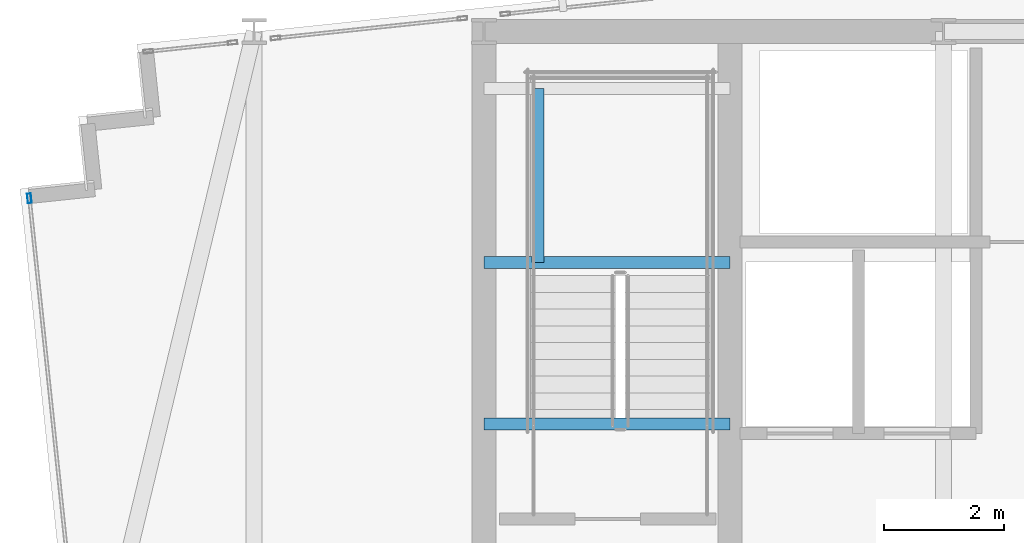
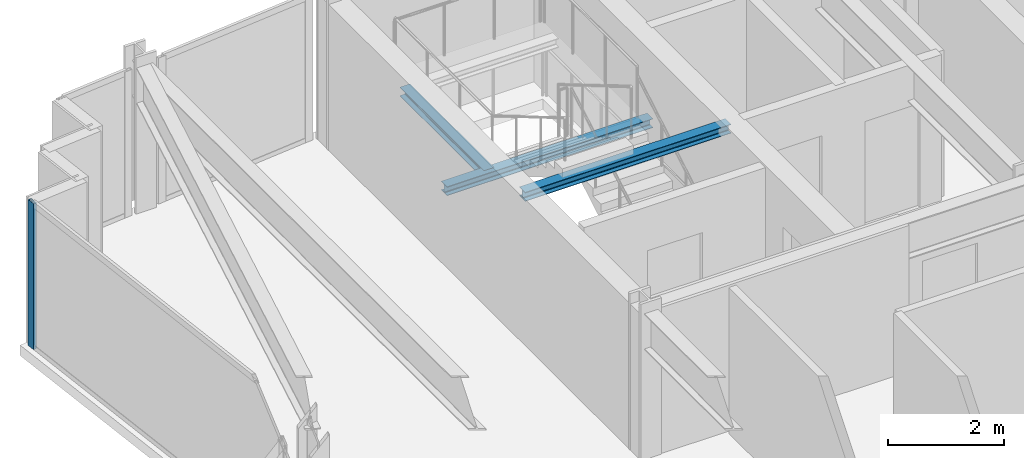
# One storey, part 12 of 33: 3 beams, 1 member, 1 element without a shape of its own.
"""IFC4 building model written with IfcOpenShell, lengths in metres."""

from ifc_helpers import new_model, si_unit, direction, frame, origin, origin_2d, place, context, subcontext, project, spatial, hollow_rectangle, i_section, extrude, material, material_profile, profile_set, type_object, element, aggregate, save


model = new_model("IFC4")

# Units and contexts
model_context = context("Model", 3, precision=1e-05, world=origin(), true_north=direction((0.0, 1.0)))
body_context = subcontext(model_context, "Body", "Model", "MODEL_VIEW")
ifc_project = project(units=[si_unit("LENGTHUNIT", "METRE"), si_unit("AREAUNIT", "SQUARE_METRE"), si_unit("VOLUMEUNIT", "CUBIC_METRE"), si_unit("PLANEANGLEUNIT", "RADIAN"), si_unit("MASSUNIT", "GRAM", prefix="KILO")], contexts=[model_context])

# Site, building, storey
site_placement = place(None, origin())
site = spatial("IfcSite", under=ifc_project, at=site_placement, CompositionType="ELEMENT")
building_placement = place(site_placement, origin())
building = spatial("IfcBuilding", under=site, at=building_placement, Name="Yelkora Congress Tower", CompositionType="ELEMENT")
storey_placement = place(building_placement, frame((0.0, 0.0, 240.800048828125)))
storey = spatial("IfcBuildingStorey", under=building, at=storey_placement, Name="L67", CompositionType="ELEMENT", Elevation=240.800048828125)

# Beams
ifc_material_1 = material(Name="Steel S355J2", Category="steel")
ifc_material_profile_1 = material_profile(ifc_material_1, i_section(OverallWidth=0.199951171875, OverallDepth=0.18994140625, WebThickness=0.006591796875, FlangeThickness=0.010009765625, FilletRadius=0.01806640625, at=origin_2d()), Name="HEA 200")
ifc_profile_set_1 = profile_set([ifc_material_profile_1], Name="Steel S355J2")
beam_type = type_object("IfcBeamType", Name="BM-LAND-HEA200", PredefinedType="BEAM", material=ifc_profile_set_1)
beam_1_placement = place(storey_placement, frame((23.0400390625, 42.340087890625, 1.33447265625), z_axis=(1.0, 0.0, 0.0), x_axis=(0.0, 1.0, 0.0)))
element("IfcBeam", 1, at=beam_1_placement, inside=storey, type_object=beam_type, Name="ST-01 L67 Landing Header Beam 1S", PredefinedType="BEAM", context=body_context, shape_type="SweptSolid", body=[
    extrude(i_section(OverallWidth=0.199951171875, OverallDepth=0.18994140625, WebThickness=0.006591796875, FlangeThickness=0.010009765625, FilletRadius=0.01806640625, at=origin_2d()), origin(), (0.0, 0.0, 1.0), 4.10986328125),
])
beam_2_placement = place(storey_placement, frame((23.93994140625, 42.340087890625, 1.33447265625), z_axis=(0.0, 1.0, 0.0), x_axis=(-1.0, 0.0, 0.0)))
element("IfcBeam", 2, at=beam_2_placement, inside=storey, type_object=beam_type, Name="ST-01 L67 Landing Trimmer Beam 1M", PredefinedType="BEAM", context=body_context, shape_type="SweptSolid", body=[
    extrude(i_section(OverallWidth=0.199951171875, OverallDepth=0.18994140625, WebThickness=0.006591796875, FlangeThickness=0.010009765625, FilletRadius=0.01806640625, at=origin_2d()), origin(), (0.0, 0.0, 1.0), 2.909912109375),
])
beam_3_placement = place(storey_placement, frame((23.0400390625, 39.639892578125, 2.853759765625), z_axis=(1.0, 0.0, 0.0), x_axis=(0.0, 1.0, 0.0)))
element("IfcBeam", 3, at=beam_3_placement, inside=storey, type_object=beam_type, Name="ST-01 L67 Floor Arrival Stringer Header Beam", PredefinedType="BEAM", context=body_context, shape_type="SweptSolid", body=[
    extrude(i_section(OverallWidth=0.199951171875, OverallDepth=0.18994140625, WebThickness=0.006591796875, FlangeThickness=0.010009765625, FilletRadius=0.01806640625, at=origin_2d()), origin(), (0.0, 0.0, 1.0), 4.10986328125),
])

# Curtain wall, member
ifc_material_2 = material(Name="Anodised aluminium and insulated glass", Category="aluminium")
curtain_wall_type = type_object("IfcCurtainWallType", Name="CW-SYS-B4", PredefinedType="NOTDEFINED", material=ifc_material_2)
curtain_wall_placement = place(storey_placement, origin())
curtain_wall = element("IfcCurtainWall", 4, at=curtain_wall_placement, inside=storey, type_object=curtain_wall_type, Name="L67 Unitised Curtain Wall 5", PredefinedType="NOTDEFINED")
ifc_material_3 = material(Name="Anodised aluminium 6063-T6", Category="aluminium")
ifc_material_profile_2 = material_profile(ifc_material_3, hollow_rectangle(XDim=0.06494140625, YDim=0.159912109375, WallThickness=0.00390625, at=origin_2d()), Name="ALU 65x160x4")
ifc_profile_set_2 = profile_set([ifc_material_profile_2], Name="Anodised aluminium 6063-T6")
member_type = type_object("IfcMemberType", Name="MEM-ML-B4", PredefinedType="MULLION", material=ifc_profile_set_2)
member_placement = place(storey_placement, frame((15.444580078125, 43.412353515625, 0.0), z_axis=(0.0, 0.0, 1.0), x_axis=(-0.994522145958, -0.104526079034, 0.0)))
member = element("IfcMember", 5, at=member_placement, type_object=member_type, Name="CW-B4 mullion 5", PredefinedType="MULLION", context=body_context, shape_type="SweptSolid", body=[
    extrude(hollow_rectangle(XDim=0.06494140625, YDim=0.159912109375, WallThickness=0.00390625, at=origin_2d()), origin(), (0.0, 0.0, 1.0), 3.079833984375),
])
aggregate(curtain_wall, [member])

save(model, "model.ifc")
